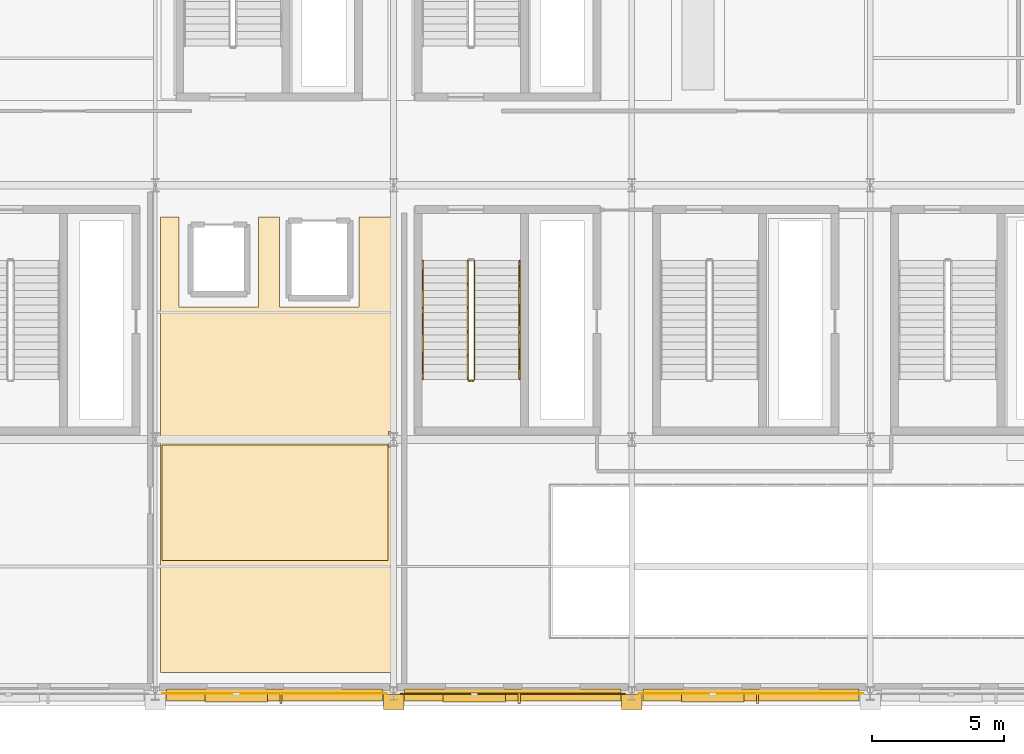
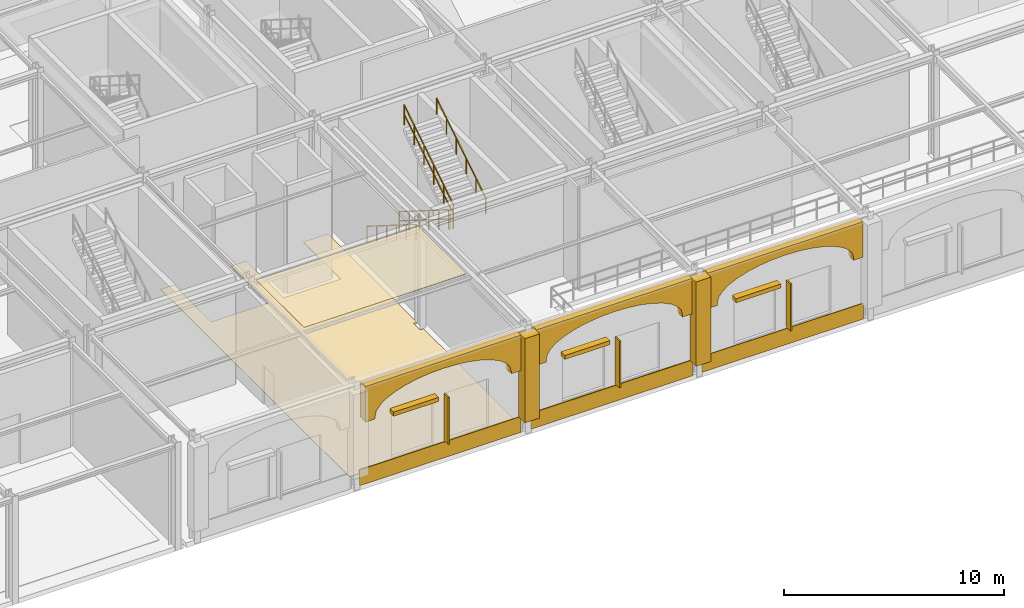
# One storey, part 97 of 113: 10 coverings, 6 shading devices, 5 railings.
"""IFC4 building model written with IfcOpenShell, lengths in metres."""

from ifc_helpers import new_model, si_unit, direction, frame, origin, origin_2d, place, context, subcontext, project, spatial, polyline, rectangle, outline, extrude, material, layer, layer_set, type_object, element, save


model = new_model("IFC4")

# Units and contexts
model_context = context("Model", 3, precision=1e-05, world=origin(), true_north=direction((0.0, 1.0)))
body_context = subcontext(model_context, "Body", "Model", "MODEL_VIEW")
ifc_project = project(units=[si_unit("LENGTHUNIT", "METRE"), si_unit("AREAUNIT", "SQUARE_METRE"), si_unit("VOLUMEUNIT", "CUBIC_METRE"), si_unit("PLANEANGLEUNIT", "RADIAN"), si_unit("MASSUNIT", "GRAM", prefix="KILO")], contexts=[model_context])

# Site, building, storey
site_placement = place(None, origin())
site = spatial("IfcSite", under=ifc_project, at=site_placement, CompositionType="ELEMENT")
building_placement = place(site_placement, origin())
building = spatial("IfcBuilding", under=site, at=building_placement, Name="Myrtia Square Station", CompositionType="ELEMENT")
storey_placement = place(building_placement, origin())
storey = spatial("IfcBuildingStorey", under=building, at=storey_placement, Name="L00", CompositionType="ELEMENT", Elevation=0.0)

# Coverings
ifc_material_1 = material(Name="Pentelic marble ashlar", Category="masonry")
ifc_layer_1 = layer(ifc_material_1, 0.4599609375, Name="Pentelic marble ashlar")
ifc_layer_set_1 = layer_set([ifc_layer_1], Name="Pentelic marble ashlar")
covering_type_1 = type_object("IfcCoveringType", Name="COV-ARCH-ASHLAR", PredefinedType="CLADDING", material=ifc_layer_set_1)
for number, where, z_axis, x_axis, name in (
    (1, (126.419921875, -0.050048828125, 3.64990234375), (0.0, 0.0, 1.0), (1.0, 0.0, 0.0), "South street facade arch spandrel 016"),
    (2, (135.419921875, -0.050048828125, 3.64990234375), (0.0, 0.0, 1.0), (1.0, 0.0, 0.0), "South street facade arch spandrel 018"),
    (3, (144.419921875, -0.050048828125, 3.64990234375), (0.0, 0.0, 1.0), (1.0, 0.0, 0.0), "South street facade arch spandrel 020"),
):
    element("IfcCovering", number, at=place(storey_placement, frame(where, z_axis=z_axis, x_axis=x_axis)), inside=storey, type_object=covering_type_1, Name=name, PredefinedType="CLADDING", context=body_context, shape_type="SweptSolid", body=[
        extrude(outline(polyline([(0.0, 0.0), (0.5, 0.0), (0.5, 0.150146484375), (0.56884765625, 0.42333984375), (0.7724609375, 0.685791015625), (1.103271484375, 0.927978515625), (1.548583984375, 1.14013671875), (2.091064453125, 1.314208984375), (2.7099609375, 1.443603515625), (3.381591796875, 1.523193359375), (4.080078125, 1.550048828125), (4.778564453125, 1.523193359375), (5.4501953125, 1.443603515625), (6.069091796875, 1.314208984375), (6.611572265625, 1.14013671875), (7.056884765625, 0.927978515625), (7.3876953125, 0.685791015625), (7.59130859375, 0.42333984375), (7.66015625, 0.150146484375), (7.66015625, 0.0), (8.16015625, 0.0), (8.16015625, 1.97021484375), (0.0, 1.97021484375), (0.0, 0.0)])), frame((0.0, 0.22998046875, 0.0), z_axis=(0.0, -1.0, 0.0), x_axis=(1.0, 0.0, 0.0)), (0.0, 0.0, 1.0), 0.4599609375),
    ])
for number, where, z_axis, x_axis, name in (
    (4, (135.0, -0.320068359375, 0.919921875), (0.0, 0.0, 1.0), (1.0, 0.0, 0.0), "Classical Pentelic ashlar pilaster 019"),
    (5, (144.0, -0.320068359375, 0.919921875), (0.0, 0.0, 1.0), (1.0, 0.0, 0.0), "Classical Pentelic ashlar pilaster 027"),
):
    element("IfcCovering", number, at=place(storey_placement, frame(where, z_axis=z_axis, x_axis=x_axis)), inside=storey, type_object=covering_type_1, Name=name, PredefinedType="CLADDING", context=body_context, shape_type="SweptSolid", body=[
        extrude(rectangle(XDim=0.780029296875, YDim=0.56005859375, at=origin_2d()), origin(), (0.0, 0.0, 1.0), 4.679931640625),
    ])
ifc_material_2 = material(Name="Gypsum plasterboard")
ifc_layer_2 = layer(ifc_material_2, 0.034912109375, Name="Gypsum plasterboard")
ifc_layer_set_2 = layer_set([ifc_layer_2], Name="Gypsum plasterboard")
covering_type_2 = type_object("IfcCoveringType", Name="COV-CEIL-ACOUSTIC", PredefinedType="CEILING", material=ifc_layer_set_2)
covering_1_placement = place(storey_placement, frame((0.0, 0.0, 5.715087890625)))
element("IfcCovering", 6, at=covering_1_placement, inside=storey, type_object=covering_type_2, Name="Acoustic coffer ceiling L00-12", PredefinedType="CEILING", context=body_context, shape_type="SweptSolid", body=[
    extrude(outline(polyline([(126.25, 9.3798828125), (134.780029296875, 9.3798828125), (134.780029296875, 5.02001953125), (126.25, 5.02001953125), (126.25, 9.3798828125)])), origin(), (0.0, 0.0, 1.0), 0.034912109375),
])
ifc_layer_3 = layer(ifc_material_1, 0.050048828125, Name="Pentelic marble ashlar")
ifc_layer_set_3 = layer_set([ifc_layer_3], Name="Pentelic marble ashlar")
covering_type_3 = type_object("IfcCoveringType", Name="COV-CLAD-ASHLAR", PredefinedType="CLADDING", material=ifc_layer_set_3)
covering_2_placement = place(storey_placement, frame((139.5, -0.0048828125, 0.0), z_axis=(0.0, 0.0, 1.0), x_axis=(1.0, 0.0, 0.0)))
element("IfcCovering", 7, at=covering_2_placement, inside=storey, type_object=covering_type_3, Name="Spanish Colonial Revival dado cladding 013", PredefinedType="CLADDING", context=body_context, shape_type="SweptSolid", body=[
    extrude(rectangle(XDim=8.489990234375, YDim=0.050048828125, at=origin_2d()), origin(), (0.0, 0.0, 1.0), 0.8798828125),
])
ifc_material_3 = material(Name="Polychrome glazed ceramic tile", Category="masonry")
ifc_layer_4 = layer(ifc_material_3, 0.034912109375, Name="Polychrome glazed ceramic tile")
ifc_layer_set_4 = layer_set([ifc_layer_4], Name="Polychrome glazed ceramic tile")
covering_type_4 = type_object("IfcCoveringType", Name="COV-CLAD-FAIENCE", PredefinedType="CLADDING", material=ifc_layer_set_4)
for number, where, z_axis, x_axis, name in (
    (8, (130.5, 0.00244140625, 0.0), (0.0, 0.0, 1.0), (1.0, 0.0, 0.0), "Spanish Colonial Revival dado cladding 012"),
    (9, (148.5, 0.00244140625, 0.0), (0.0, 0.0, 1.0), (1.0, 0.0, 0.0), "Spanish Colonial Revival dado cladding 014"),
):
    element("IfcCovering", number, at=place(storey_placement, frame(where, z_axis=z_axis, x_axis=x_axis)), inside=storey, type_object=covering_type_4, Name=name, PredefinedType="CLADDING", context=body_context, shape_type="SweptSolid", body=[
        extrude(rectangle(XDim=8.489990234375, YDim=0.034912109375, at=origin_2d()), origin(), (0.0, 0.0, 1.0), 0.8798828125),
    ])
ifc_material_4 = material(Name="Terrazzo stone tile", Category="masonry")
ifc_layer_5 = layer(ifc_material_4, 0.02490234375, Name="Terrazzo stone tile")
ifc_layer_set_5 = layer_set([ifc_layer_5], Name="Terrazzo stone tile")
covering_type_5 = type_object("IfcCoveringType", Name="COV-FLR-TERRAZZO", PredefinedType="FLOORING", material=ifc_layer_set_5)
covering_3_placement = place(storey_placement, origin())
element("IfcCovering", 10, at=covering_3_placement, inside=storey, type_object=covering_type_5, Name="Terrazzo room flooring L00-12", PredefinedType="FLOORING", context=body_context, shape_type="SweptSolid", body=[
    extrude(outline(polyline([(126.199951171875, 18.0), (126.89990234375, 18.0), (126.89990234375, 14.60009765625), (129.89990234375, 14.60009765625), (129.89990234375, 18.0), (130.699951171875, 18.0), (130.699951171875, 14.60009765625), (133.699951171875, 14.60009765625), (133.699951171875, 18.0), (135.0, 18.0), (135.0, 9.889892578125), (134.81005859375, 9.889892578125), (134.81005859375, 9.31005859375), (135.0, 9.31005859375), (135.0, 0.800048828125), (126.199951171875, 0.800048828125), (126.199951171875, 18.0)])), origin(), (0.0, 0.0, 1.0), 0.02490234375),
])

# Railings
ifc_material_5 = material(Name="Dark bronze anodised aluminium", Category="aluminium")
railing_type_1 = type_object("IfcRailingType", Name="RL-HANDRAIL-900", PredefinedType="HANDRAIL", material=ifc_material_5)
railing_1_placement = place(storey_placement, frame((136.10009765625, 16.35009765625, 0.176513671875)))
element("IfcRailing", 11, at=railing_1_placement, inside=storey, type_object=railing_type_1, Name="L00 ST06 stair handrail 1", PredefinedType="HANDRAIL", context=body_context, shape_type="SweptSolid", body=[
    extrude(rectangle(XDim=0.048095703125, YDim=0.048095703125, at=origin_2d()), frame((0.0, -0.029296875, 0.894287109375), z_axis=(0.0, -0.845997938375, 0.533186166611), x_axis=(1.0, 0.0, 0.0)), (0.0, 0.0, 1.0), 0.98974609375),
    extrude(rectangle(XDim=0.048095703125, YDim=0.048095703125, at=origin_2d()), frame((0.0, -0.92529296875, 1.458984375), z_axis=(0.0, -0.845997938375, 0.533186166611), x_axis=(1.0, 0.0, 0.0)), (0.0, 0.0, 1.0), 0.98974609375),
    extrude(rectangle(XDim=0.048095703125, YDim=0.048095703125, at=origin_2d()), frame((0.0, -1.8212890625, 2.023681640625), z_axis=(0.0, -0.845997938375, 0.533186166611), x_axis=(1.0, 0.0, 0.0)), (0.0, 0.0, 1.0), 0.98974609375),
    extrude(rectangle(XDim=0.048095703125, YDim=0.048095703125, at=origin_2d()), frame((0.0, -2.71728515625, 2.58837890625), z_axis=(0.0, -0.845997938375, 0.533186166611), x_axis=(1.0, 0.0, 0.0)), (0.0, 0.0, 1.0), 0.98974609375),
    extrude(rectangle(XDim=0.048095703125, YDim=0.048095703125, at=origin_2d()), frame((0.0, -3.61328125, 3.153076171875), z_axis=(0.0, -0.845997938375, 0.533186166611), x_axis=(1.0, 0.0, 0.0)), (0.0, 0.0, 1.0), 0.98974609375),
    extrude(rectangle(XDim=0.0439453125, YDim=0.0439453125, at=origin_2d()), origin(), (0.0, 0.0, 1.0), 0.89990234375),
    extrude(rectangle(XDim=0.0439453125, YDim=0.0439453125, at=origin_2d()), frame((0.0, -0.89599609375, 0.564697265625)), (0.0, 0.0, 1.0), 0.89990234375),
    extrude(rectangle(XDim=0.0439453125, YDim=0.0439453125, at=origin_2d()), frame((0.0, -1.7919921875, 1.12939453125)), (0.0, 0.0, 1.0), 0.89990234375),
    extrude(rectangle(XDim=0.0439453125, YDim=0.0439453125, at=origin_2d()), frame((0.0, -2.68798828125, 1.694091796875)), (0.0, 0.0, 1.0), 0.89990234375),
    extrude(rectangle(XDim=0.0439453125, YDim=0.0439453125, at=origin_2d()), frame((0.0, -3.583984375, 2.2587890625)), (0.0, 0.0, 1.0), 0.89990234375),
    extrude(rectangle(XDim=0.0439453125, YDim=0.0439453125, at=origin_2d()), frame((0.0, -4.47998046875, 2.823486328125)), (0.0, 0.0, 1.0), 0.89990234375),
])
railing_2_placement = place(storey_placement, frame((139.760009765625, 11.8701171875, 3.176513671875)))
element("IfcRailing", 12, at=railing_2_placement, inside=storey, type_object=railing_type_1, Name="L00 ST06 stair handrail 2", PredefinedType="HANDRAIL", context=body_context, shape_type="SweptSolid", body=[
    extrude(rectangle(XDim=0.048095703125, YDim=0.048095703125, at=origin_2d()), frame((0.0, 0.029296875, 0.894287109375), z_axis=(0.0, 0.845997938375, 0.533186166611), x_axis=(-1.0, 0.0, 0.0)), (0.0, 0.0, 1.0), 0.98974609375),
    extrude(rectangle(XDim=0.048095703125, YDim=0.048095703125, at=origin_2d()), frame((0.0, 0.92529296875, 1.458984375), z_axis=(0.0, 0.845997938375, 0.533186166611), x_axis=(-1.0, 0.0, 0.0)), (0.0, 0.0, 1.0), 0.98974609375),
    extrude(rectangle(XDim=0.048095703125, YDim=0.048095703125, at=origin_2d()), frame((0.0, 1.8212890625, 2.023681640625), z_axis=(0.0, 0.845997938375, 0.533186166611), x_axis=(-1.0, 0.0, 0.0)), (0.0, 0.0, 1.0), 0.98974609375),
    extrude(rectangle(XDim=0.048095703125, YDim=0.048095703125, at=origin_2d()), frame((0.0, 2.71728515625, 2.58837890625), z_axis=(0.0, 0.845997938375, 0.533186166611), x_axis=(-1.0, 0.0, 0.0)), (0.0, 0.0, 1.0), 0.98974609375),
    extrude(rectangle(XDim=0.048095703125, YDim=0.048095703125, at=origin_2d()), frame((0.0, 3.61328125, 3.153076171875), z_axis=(0.0, 0.845997938375, 0.533186166611), x_axis=(-1.0, 0.0, 0.0)), (0.0, 0.0, 1.0), 0.98974609375),
    extrude(rectangle(XDim=0.0439453125, YDim=0.0439453125, at=origin_2d()), origin(), (0.0, 0.0, 1.0), 0.89990234375),
    extrude(rectangle(XDim=0.0439453125, YDim=0.0439453125, at=origin_2d()), frame((0.0, 0.89599609375, 0.564697265625)), (0.0, 0.0, 1.0), 0.89990234375),
    extrude(rectangle(XDim=0.0439453125, YDim=0.0439453125, at=origin_2d()), frame((0.0, 1.7919921875, 1.12939453125)), (0.0, 0.0, 1.0), 0.89990234375),
    extrude(rectangle(XDim=0.0439453125, YDim=0.0439453125, at=origin_2d()), frame((0.0, 2.68798828125, 1.694091796875)), (0.0, 0.0, 1.0), 0.89990234375),
    extrude(rectangle(XDim=0.0439453125, YDim=0.0439453125, at=origin_2d()), frame((0.0, 3.583984375, 2.2587890625)), (0.0, 0.0, 1.0), 0.89990234375),
    extrude(rectangle(XDim=0.0439453125, YDim=0.0439453125, at=origin_2d()), frame((0.0, 4.47998046875, 2.823486328125)), (0.0, 0.0, 1.0), 0.89990234375),
])
ifc_material_6 = material(Name="Wrought iron", Category="steel")
railing_type_2 = type_object("IfcRailingType", Name="RL-INT-GUARD-1100", PredefinedType="BALUSTRADE", material=ifc_material_6)
railing_3_placement = place(storey_placement, frame((137.800048828125, 16.35009765625, 0.176513671875)))
element("IfcRailing", 13, at=railing_3_placement, inside=storey, type_object=railing_type_2, Name="L00 ST06 stair guard 1", PredefinedType="BALUSTRADE", context=body_context, shape_type="SweptSolid", body=[
    extrude(rectangle(XDim=0.048095703125, YDim=0.048095703125, at=origin_2d()), frame((0.0, -0.029296875, 1.114501953125), z_axis=(0.0, -0.845997938375, 0.533186166611), x_axis=(1.0, 0.0, 0.0)), (0.0, 0.0, 1.0), 0.98974609375),
    extrude(rectangle(XDim=0.048095703125, YDim=0.048095703125, at=origin_2d()), frame((0.0, -0.029296875, 0.600830078125), z_axis=(0.0, -0.845997938375, 0.533186166611), x_axis=(1.0, 0.0, 0.0)), (0.0, 0.0, 1.0), 0.98974609375),
    extrude(rectangle(XDim=0.048095703125, YDim=0.048095703125, at=origin_2d()), frame((0.0, -0.92529296875, 1.67919921875), z_axis=(0.0, -0.845997938375, 0.533186166611), x_axis=(1.0, 0.0, 0.0)), (0.0, 0.0, 1.0), 0.98974609375),
    extrude(rectangle(XDim=0.048095703125, YDim=0.048095703125, at=origin_2d()), frame((0.0, -0.92529296875, 1.16552734375), z_axis=(0.0, -0.845997938375, 0.533186166611), x_axis=(1.0, 0.0, 0.0)), (0.0, 0.0, 1.0), 0.98974609375),
    extrude(rectangle(XDim=0.048095703125, YDim=0.048095703125, at=origin_2d()), frame((0.0, -1.8212890625, 2.243896484375), z_axis=(0.0, -0.845997938375, 0.533186166611), x_axis=(1.0, 0.0, 0.0)), (0.0, 0.0, 1.0), 0.98974609375),
    extrude(rectangle(XDim=0.048095703125, YDim=0.048095703125, at=origin_2d()), frame((0.0, -1.8212890625, 1.730224609375), z_axis=(0.0, -0.845997938375, 0.533186166611), x_axis=(1.0, 0.0, 0.0)), (0.0, 0.0, 1.0), 0.98974609375),
    extrude(rectangle(XDim=0.048095703125, YDim=0.048095703125, at=origin_2d()), frame((0.0, -2.71728515625, 2.80859375), z_axis=(0.0, -0.845997938375, 0.533186166611), x_axis=(1.0, 0.0, 0.0)), (0.0, 0.0, 1.0), 0.98974609375),
    extrude(rectangle(XDim=0.048095703125, YDim=0.048095703125, at=origin_2d()), frame((0.0, -2.71728515625, 2.294921875), z_axis=(0.0, -0.845997938375, 0.533186166611), x_axis=(1.0, 0.0, 0.0)), (0.0, 0.0, 1.0), 0.98974609375),
    extrude(rectangle(XDim=0.048095703125, YDim=0.048095703125, at=origin_2d()), frame((0.0, -3.61328125, 3.373291015625), z_axis=(0.0, -0.845997938375, 0.533186166611), x_axis=(1.0, 0.0, 0.0)), (0.0, 0.0, 1.0), 0.98974609375),
    extrude(rectangle(XDim=0.048095703125, YDim=0.048095703125, at=origin_2d()), frame((0.0, -3.61328125, 2.859619140625), z_axis=(0.0, -0.845997938375, 0.533186166611), x_axis=(1.0, 0.0, 0.0)), (0.0, 0.0, 1.0), 0.98974609375),
    extrude(rectangle(XDim=0.0439453125, YDim=0.0439453125, at=origin_2d()), origin(), (0.0, 0.0, 1.0), 1.1201171875),
    extrude(rectangle(XDim=0.0439453125, YDim=0.0439453125, at=origin_2d()), frame((0.0, -0.89599609375, 0.564697265625)), (0.0, 0.0, 1.0), 1.1201171875),
    extrude(rectangle(XDim=0.0439453125, YDim=0.0439453125, at=origin_2d()), frame((0.0, -1.7919921875, 1.12939453125)), (0.0, 0.0, 1.0), 1.1201171875),
    extrude(rectangle(XDim=0.0439453125, YDim=0.0439453125, at=origin_2d()), frame((0.0, -2.68798828125, 1.694091796875)), (0.0, 0.0, 1.0), 1.1201171875),
    extrude(rectangle(XDim=0.0439453125, YDim=0.0439453125, at=origin_2d()), frame((0.0, -3.583984375, 2.2587890625)), (0.0, 0.0, 1.0), 1.1201171875),
    extrude(rectangle(XDim=0.0439453125, YDim=0.0439453125, at=origin_2d()), frame((0.0, -4.47998046875, 2.823486328125)), (0.0, 0.0, 1.0), 1.1201171875),
])
railing_4_placement = place(storey_placement, frame((137.85009765625, 11.820068359375, 3.0)))
element("IfcRailing", 14, at=railing_4_placement, inside=storey, type_object=railing_type_2, Name="L00 ST06 stair guard 2", PredefinedType="BALUSTRADE", context=body_context, shape_type="SweptSolid", body=[
    extrude(rectangle(XDim=0.048095703125, YDim=0.048095703125, at=origin_2d()), frame((0.03466796875, 0.0, 1.09619140625), z_axis=(1.0, 0.0, 0.0), x_axis=(0.0, 1.0, 0.0)), (0.0, 0.0, 1.0), 0.090576171875),
    extrude(rectangle(XDim=0.048095703125, YDim=0.048095703125, at=origin_2d()), frame((0.03466796875, 0.0, 0.58251953125), z_axis=(1.0, 0.0, 0.0), x_axis=(0.0, 1.0, 0.0)), (0.0, 0.0, 1.0), 0.090576171875),
    extrude(rectangle(XDim=0.0439453125, YDim=0.0439453125, at=origin_2d()), origin(), (0.0, 0.0, 1.0), 1.1201171875),
    extrude(rectangle(XDim=0.0439453125, YDim=0.0439453125, at=origin_2d()), frame((0.159912109375, 0.0, 0.0)), (0.0, 0.0, 1.0), 1.1201171875),
])
railing_5_placement = place(storey_placement, frame((138.06005859375, 11.8701171875, 3.176513671875)))
element("IfcRailing", 15, at=railing_5_placement, inside=storey, type_object=railing_type_2, Name="L00 ST06 stair guard 3", PredefinedType="BALUSTRADE", context=body_context, shape_type="SweptSolid", body=[
    extrude(rectangle(XDim=0.048095703125, YDim=0.048095703125, at=origin_2d()), frame((0.0, 0.029296875, 1.114501953125), z_axis=(0.0, 0.845997938375, 0.533186166611), x_axis=(-1.0, 0.0, 0.0)), (0.0, 0.0, 1.0), 0.98974609375),
    extrude(rectangle(XDim=0.048095703125, YDim=0.048095703125, at=origin_2d()), frame((0.0, 0.029296875, 0.600830078125), z_axis=(0.0, 0.845997938375, 0.533186166611), x_axis=(-1.0, 0.0, 0.0)), (0.0, 0.0, 1.0), 0.98974609375),
    extrude(rectangle(XDim=0.048095703125, YDim=0.048095703125, at=origin_2d()), frame((0.0, 0.92529296875, 1.67919921875), z_axis=(0.0, 0.845997938375, 0.533186166611), x_axis=(-1.0, 0.0, 0.0)), (0.0, 0.0, 1.0), 0.98974609375),
    extrude(rectangle(XDim=0.048095703125, YDim=0.048095703125, at=origin_2d()), frame((0.0, 0.92529296875, 1.16552734375), z_axis=(0.0, 0.845997938375, 0.533186166611), x_axis=(-1.0, 0.0, 0.0)), (0.0, 0.0, 1.0), 0.98974609375),
    extrude(rectangle(XDim=0.048095703125, YDim=0.048095703125, at=origin_2d()), frame((0.0, 1.8212890625, 2.243896484375), z_axis=(0.0, 0.845997938375, 0.533186166611), x_axis=(-1.0, 0.0, 0.0)), (0.0, 0.0, 1.0), 0.98974609375),
    extrude(rectangle(XDim=0.048095703125, YDim=0.048095703125, at=origin_2d()), frame((0.0, 1.8212890625, 1.730224609375), z_axis=(0.0, 0.845997938375, 0.533186166611), x_axis=(-1.0, 0.0, 0.0)), (0.0, 0.0, 1.0), 0.98974609375),
    extrude(rectangle(XDim=0.048095703125, YDim=0.048095703125, at=origin_2d()), frame((0.0, 2.71728515625, 2.80859375), z_axis=(0.0, 0.845997938375, 0.533186166611), x_axis=(-1.0, 0.0, 0.0)), (0.0, 0.0, 1.0), 0.98974609375),
    extrude(rectangle(XDim=0.048095703125, YDim=0.048095703125, at=origin_2d()), frame((0.0, 2.71728515625, 2.294921875), z_axis=(0.0, 0.845997938375, 0.533186166611), x_axis=(-1.0, 0.0, 0.0)), (0.0, 0.0, 1.0), 0.98974609375),
    extrude(rectangle(XDim=0.048095703125, YDim=0.048095703125, at=origin_2d()), frame((0.0, 3.61328125, 3.373291015625), z_axis=(0.0, 0.845997938375, 0.533186166611), x_axis=(-1.0, 0.0, 0.0)), (0.0, 0.0, 1.0), 0.98974609375),
    extrude(rectangle(XDim=0.048095703125, YDim=0.048095703125, at=origin_2d()), frame((0.0, 3.61328125, 2.859619140625), z_axis=(0.0, 0.845997938375, 0.533186166611), x_axis=(-1.0, 0.0, 0.0)), (0.0, 0.0, 1.0), 0.98974609375),
    extrude(rectangle(XDim=0.0439453125, YDim=0.0439453125, at=origin_2d()), origin(), (0.0, 0.0, 1.0), 1.1201171875),
    extrude(rectangle(XDim=0.0439453125, YDim=0.0439453125, at=origin_2d()), frame((0.0, 0.89599609375, 0.564697265625)), (0.0, 0.0, 1.0), 1.1201171875),
    extrude(rectangle(XDim=0.0439453125, YDim=0.0439453125, at=origin_2d()), frame((0.0, 1.7919921875, 1.12939453125)), (0.0, 0.0, 1.0), 1.1201171875),
    extrude(rectangle(XDim=0.0439453125, YDim=0.0439453125, at=origin_2d()), frame((0.0, 2.68798828125, 1.694091796875)), (0.0, 0.0, 1.0), 1.1201171875),
    extrude(rectangle(XDim=0.0439453125, YDim=0.0439453125, at=origin_2d()), frame((0.0, 3.583984375, 2.2587890625)), (0.0, 0.0, 1.0), 1.1201171875),
    extrude(rectangle(XDim=0.0439453125, YDim=0.0439453125, at=origin_2d()), frame((0.0, 4.47998046875, 2.823486328125)), (0.0, 0.0, 1.0), 1.1201171875),
])

# Shading devices
shading_device_type_1 = type_object("IfcShadingDeviceType", Name="SHD-FIN-BRONZE", PredefinedType="USERDEFINED", material=ifc_material_5)
for number, where, z_axis, x_axis, name in (
    (16, (130.748046875, -0.169921875, 0.949951171875), (0.0, 0.0, 1.0), (1.0, 0.0, 0.0), "Vertical bronze solar fin SHF-006"),
    (17, (139.748046875, -0.169921875, 0.949951171875), (0.0, 0.0, 1.0), (1.0, 0.0, 0.0), "Vertical bronze solar fin SHF-007"),
    (18, (148.748046875, -0.169921875, 0.949951171875), (0.0, 0.0, 1.0), (1.0, 0.0, 0.0), "Vertical bronze solar fin SHF-008"),
):
    element("IfcShadingDevice", number, at=place(storey_placement, frame(where, z_axis=z_axis, x_axis=x_axis)), inside=storey, type_object=shading_device_type_1, Name=name, ObjectType="FIN", PredefinedType="USERDEFINED", context=body_context, shape_type="SweptSolid", body=[
        extrude(rectangle(XDim=0.080078125, YDim=0.389892578125, at=origin_2d()), origin(), (0.0, 0.0, 1.0), 2.60009765625),
    ])
shading_device_type_2 = type_object("IfcShadingDeviceType", Name="SHD-JALOUSIE-BRONZE", PredefinedType="JALOUSIE", material=ifc_material_5)
for number, where, z_axis, x_axis, name in (
    (19, (129.052001953125, -0.14990234375, 3.490234375), (0.0, 0.0, 1.0), (1.0, 0.0, 0.0), "Mediterranean bronze solar louvre SHL-006"),
    (20, (138.052001953125, -0.14990234375, 3.490234375), (0.0, 0.0, 1.0), (1.0, 0.0, 0.0), "Mediterranean bronze solar louvre SHL-007"),
    (21, (147.052001953125, -0.14990234375, 3.490234375), (0.0, 0.0, 1.0), (1.0, 0.0, 0.0), "Mediterranean bronze solar louvre SHL-008"),
):
    element("IfcShadingDevice", number, at=place(storey_placement, frame(where, z_axis=z_axis, x_axis=x_axis)), inside=storey, type_object=shading_device_type_2, Name=name, PredefinedType="JALOUSIE", context=body_context, shape_type="SweptSolid", body=[
        extrude(rectangle(XDim=2.360107421875, YDim=0.35009765625, at=origin_2d()), origin(), (0.0, 0.0, 1.0), 0.219970703125),
    ])

save(model, "model.ifc")
